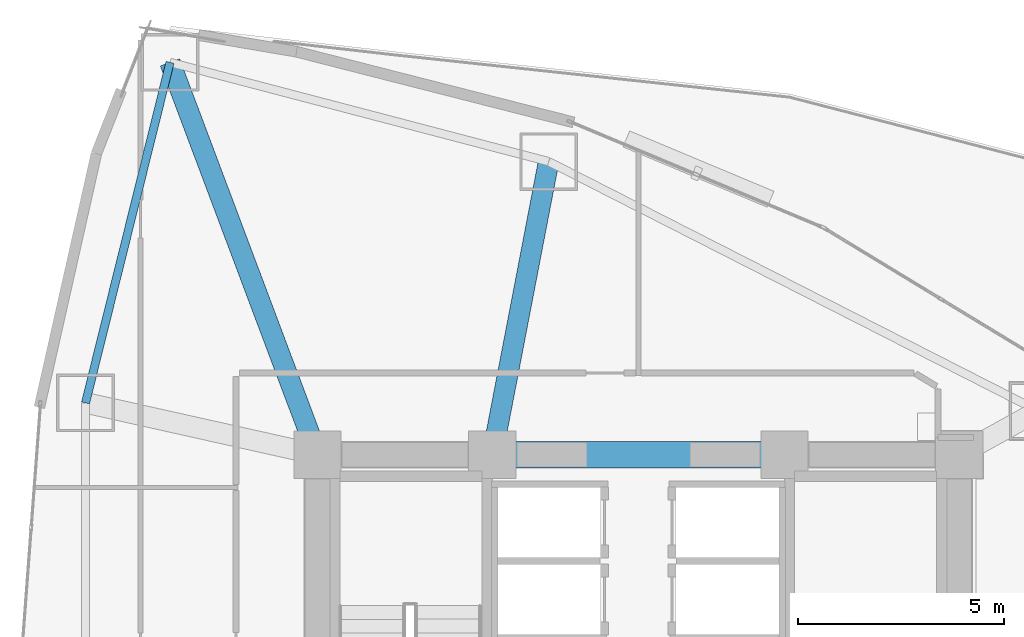
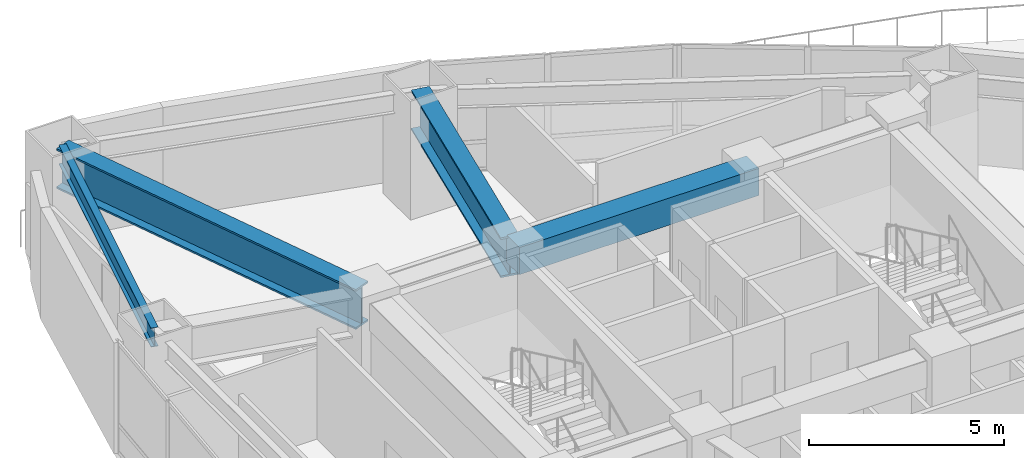
# One storey, part 8 of 19: 4 beams.
"""IFC4 building model written with IfcOpenShell, lengths in metres."""

from ifc_helpers import new_model, si_unit, direction, frame, origin, origin_2d, place, context, subcontext, project, spatial, rectangle, i_section, extrude, material, material_profile, profile_set, type_object, element, save


model = new_model("IFC4")

# Units and contexts
model_context = context("Model", 3, precision=1e-05, world=origin(), true_north=direction((0.0, 1.0)))
body_context = subcontext(model_context, "Body", "Model", "MODEL_VIEW")
ifc_project = project(units=[si_unit("LENGTHUNIT", "METRE"), si_unit("AREAUNIT", "SQUARE_METRE"), si_unit("VOLUMEUNIT", "CUBIC_METRE"), si_unit("PLANEANGLEUNIT", "RADIAN"), si_unit("MASSUNIT", "GRAM", prefix="KILO")], contexts=[model_context])

# Site, building, storey
site_placement = place(None, origin())
site = spatial("IfcSite", under=ifc_project, at=site_placement, CompositionType="ELEMENT")
building_placement = place(site_placement, origin())
building = spatial("IfcBuilding", under=site, at=building_placement, Name="Menara Vayukalpa", CompositionType="ELEMENT")
storey_placement = place(building_placement, frame((0.0, 0.0, 68.52001953125)))
storey = spatial("IfcBuildingStorey", under=building, at=storey_placement, Name="L16", CompositionType="ELEMENT", Elevation=68.52001953125)

# Beams
ifc_material_1 = material(Name="Concrete C60/75", Category="concrete")
ifc_material_profile_1 = material_profile(ifc_material_1, rectangle(XDim=0.64990234375, YDim=0.85009765625, at=origin_2d()), Name="RC 650x850")
ifc_profile_set_1 = profile_set([ifc_material_profile_1], Name="Concrete C60/75")
beam_type_1 = type_object("IfcBeamType", Name="BM-CB1", PredefinedType="BEAM", material=ifc_profile_set_1)
beam_1_placement = place(storey_placement, frame((22.050048828125, 26.800048828125, 3.044921875), z_axis=(1.0, 0.0, 0.0), x_axis=(0.0, 1.0, 0.0)))
element("IfcBeam", 1, at=beam_1_placement, inside=storey, type_object=beam_type_1, Name="L16 Core Tie Beam CBR5", PredefinedType="BEAM", context=body_context, shape_type="SweptSolid", body=[
    extrude(rectangle(XDim=0.64990234375, YDim=0.85009765625, at=origin_2d()), origin(), (0.0, 0.0, 1.0), 7.099853515625),
])
ifc_material_2 = material(Name="Steel S355", Category="steel")
ifc_material_profile_2 = material_profile(ifc_material_2, i_section(OverallWidth=0.199951171875, OverallDepth=0.60009765625, WebThickness=0.010986328125, FlangeThickness=0.01708984375, at=origin_2d()), Name="WF 600x200x11x17")
ifc_profile_set_2 = profile_set([ifc_material_profile_2], Name="Steel S355")
beam_type_2 = type_object("IfcBeamType", Name="BM-SP1", PredefinedType="SPANDREL", material=ifc_profile_set_2)
beam_2_placement = place(storey_placement, frame((14.217529296875, 36.33447265625, 3.169921875), z_axis=(-0.240823860364, -0.970568837476, 0.0), x_axis=(0.970568837476, -0.240823860364, 0.0)))
element("IfcBeam", 2, at=beam_2_placement, inside=storey, type_object=beam_type_2, Name="L16 Perimeter Spandrel Beam SP04", PredefinedType="SPANDREL", context=body_context, shape_type="SweptSolid", body=[
    extrude(i_section(OverallWidth=0.199951171875, OverallDepth=0.60009765625, WebThickness=0.010986328125, FlangeThickness=0.01708984375, at=origin_2d()), origin(), (0.0, 0.0, 1.0), 8.52587890625),
])
ifc_material_3 = material(Name="Steel S460", Category="steel")
ifc_material_profile_3 = material_profile(ifc_material_3, i_section(OverallWidth=0.5, OverallDepth=1.25, WebThickness=0.028076171875, FlangeThickness=0.054931640625, at=origin_2d()), Name="WG 1250x500x28x55")
ifc_profile_set_3 = profile_set([ifc_material_profile_3], Name="Steel S460")
beam_type_3 = type_object("IfcBeamType", Name="BM-TG2", PredefinedType="BEAM", material=ifc_profile_set_3)
beam_3_placement = place(storey_placement, frame((22.09716796875, 27.04541015625, 2.844970703125), z_axis=(0.188803432672, 0.982014899995, 0.0), x_axis=(-0.982014899995, 0.188803432672, 0.0)))
element("IfcBeam", 3, at=beam_3_placement, inside=storey, type_object=beam_type_3, Name="L16 Primary Radial Girder RG03", PredefinedType="BEAM", context=body_context, shape_type="SweptSolid", body=[
    extrude(i_section(OverallWidth=0.5, OverallDepth=1.25, WebThickness=0.028076171875, FlangeThickness=0.054931640625, at=origin_2d()), origin(), (0.0, 0.0, 1.0), 7.00341796875),
])
beam_4_placement = place(storey_placement, frame((17.712158203125, 27.033935546875, 2.844970703125), z_axis=(-0.351734656537, 0.93609974436, 0.0), x_axis=(-0.93609974436, -0.351734656537, 0.0)))
element("IfcBeam", 4, at=beam_4_placement, inside=storey, type_object=beam_type_3, Name="L16 Primary Radial Girder RG04", PredefinedType="BEAM", context=body_context, shape_type="SweptSolid", body=[
    extrude(i_section(OverallWidth=0.5, OverallDepth=1.25, WebThickness=0.028076171875, FlangeThickness=0.054931640625, at=origin_2d()), origin(), (0.0, 0.0, 1.0), 9.935302734375),
])

save(model, "model.ifc")
